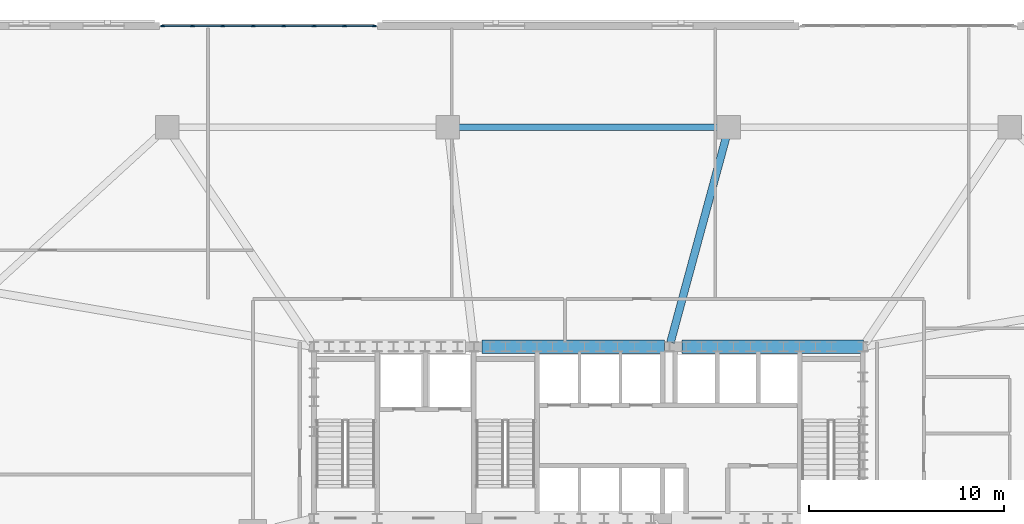
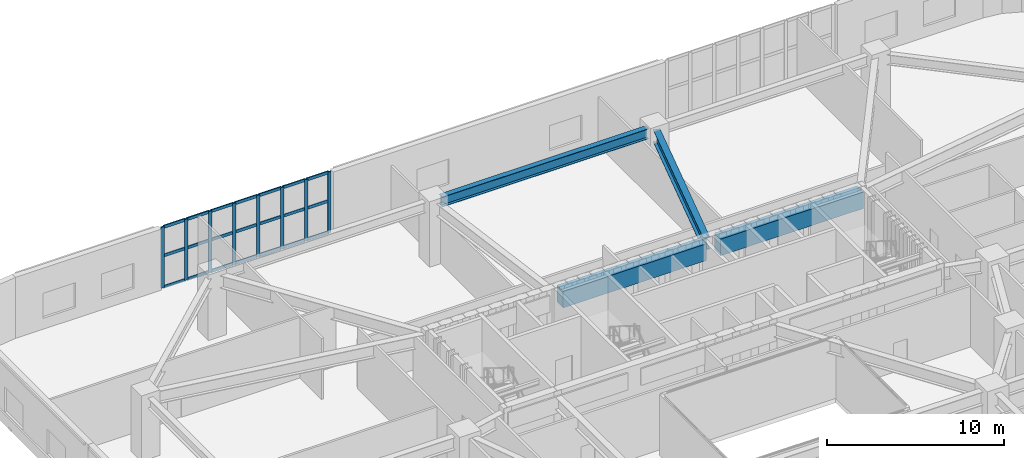
# One storey, part 9 of 25: 29 members, 4 beams, 1 element without a shape of its own.
"""IFC4 building model written with IfcOpenShell, lengths in metres."""

from ifc_helpers import new_model, si_unit, direction, frame, origin, origin_2d, place, context, subcontext, project, spatial, rectangle, i_section, extrude, material, material_profile, profile_set, type_object, element, aggregate, save


model = new_model("IFC4")

# Units and contexts
model_context = context("Model", 3, precision=1e-05, world=origin(), true_north=direction((0.0, 1.0)))
body_context = subcontext(model_context, "Body", "Model", "MODEL_VIEW")
ifc_project = project(units=[si_unit("LENGTHUNIT", "METRE"), si_unit("AREAUNIT", "SQUARE_METRE"), si_unit("VOLUMEUNIT", "CUBIC_METRE"), si_unit("PLANEANGLEUNIT", "RADIAN"), si_unit("MASSUNIT", "GRAM", prefix="KILO")], contexts=[model_context])

# Site, building, storey
site_placement = place(None, origin())
site = spatial("IfcSite", under=ifc_project, at=site_placement, CompositionType="ELEMENT")
building_placement = place(site_placement, origin())
building = spatial("IfcBuilding", under=site, at=building_placement, Name="Haldorwick Loom Tower", CompositionType="ELEMENT")
storey_placement = place(building_placement, frame((0.0, 0.0, 6.0)))
storey = spatial("IfcBuildingStorey", under=building, at=storey_placement, Name="L01", CompositionType="ELEMENT", Elevation=6.0)

# Curtain wall, members
ifc_material_1 = material(Name="Thermally Broken Anodized Aluminium Curtain Wall Framing", Category="aluminium")
curtain_wall_type = type_object("IfcCurtainWallType", Name="ARC-CW-01", PredefinedType="NOTDEFINED", material=ifc_material_1)
curtain_wall_placement = place(storey_placement, origin())
curtain_wall = element("IfcCurtainWall", 1, at=curtain_wall_placement, inside=storey, type_object=curtain_wall_type, Name="L01 Facade Curtain Wall CW-01 Bay 20", PredefinedType="NOTDEFINED")
ifc_material_profile_1 = material_profile(ifc_material_1, rectangle(XDim=0.074951171875, YDim=0.219970703125, at=origin_2d()), Name="ALU_MUL_75X220", Category="aluminium")
ifc_profile_set_1 = profile_set([ifc_material_profile_1], Name="Thermally Broken Anodized Aluminium Curtain Wall Framing")
member_type_1 = type_object("IfcMemberType", Name="ARC-CWM-01", PredefinedType="MULLION", material=ifc_profile_set_1)
member_1_placement = place(storey_placement, frame((25.0224609375, 52.0, 0.0), z_axis=(0.0, 0.0, 1.0), x_axis=(0.0, -1.0, 0.0)))
member_1 = element("IfcMember", 2, at=member_1_placement, type_object=member_type_1, Name="CW-01 mullion 1", PredefinedType="MULLION", context=body_context, shape_type="SweptSolid", body=[
    extrude(rectangle(XDim=0.074951171875, YDim=0.219970703125, at=origin_2d()), origin(), (0.0, 0.0, 1.0), 4.199951171875),
])
member_2_placement = place(storey_placement, frame((23.5, 52.0, 0.0), z_axis=(0.0, 0.0, 1.0), x_axis=(0.0, -1.0, 0.0)))
member_2 = element("IfcMember", 3, at=member_2_placement, type_object=member_type_1, Name="CW-01 mullion 2", PredefinedType="MULLION", context=body_context, shape_type="SweptSolid", body=[
    extrude(rectangle(XDim=0.074951171875, YDim=0.219970703125, at=origin_2d()), origin(), (0.0, 0.0, 1.0), 4.199951171875),
])
member_3_placement = place(storey_placement, frame((21.93994140625, 52.0, 0.0), z_axis=(0.0, 0.0, 1.0), x_axis=(0.0, -1.0, 0.0)))
member_3 = element("IfcMember", 4, at=member_3_placement, type_object=member_type_1, Name="CW-01 mullion 3", PredefinedType="MULLION", context=body_context, shape_type="SweptSolid", body=[
    extrude(rectangle(XDim=0.074951171875, YDim=0.219970703125, at=origin_2d()), origin(), (0.0, 0.0, 1.0), 4.199951171875),
])
member_4_placement = place(storey_placement, frame((20.3798828125, 52.0, 0.0), z_axis=(0.0, 0.0, 1.0), x_axis=(0.0, -1.0, 0.0)))
member_4 = element("IfcMember", 5, at=member_4_placement, type_object=member_type_1, Name="CW-01 mullion 4", PredefinedType="MULLION", context=body_context, shape_type="SweptSolid", body=[
    extrude(rectangle(XDim=0.074951171875, YDim=0.219970703125, at=origin_2d()), origin(), (0.0, 0.0, 1.0), 4.199951171875),
])
member_5_placement = place(storey_placement, frame((18.820068359375, 52.0, 0.0), z_axis=(0.0, 0.0, 1.0), x_axis=(0.0, -1.0, 0.0)))
member_5 = element("IfcMember", 6, at=member_5_placement, type_object=member_type_1, Name="CW-01 mullion 5", PredefinedType="MULLION", context=body_context, shape_type="SweptSolid", body=[
    extrude(rectangle(XDim=0.074951171875, YDim=0.219970703125, at=origin_2d()), origin(), (0.0, 0.0, 1.0), 4.199951171875),
])
member_6_placement = place(storey_placement, frame((17.260009765625, 52.0, 0.0), z_axis=(0.0, 0.0, 1.0), x_axis=(0.0, -1.0, 0.0)))
member_6 = element("IfcMember", 7, at=member_6_placement, type_object=member_type_1, Name="CW-01 mullion 6", PredefinedType="MULLION", context=body_context, shape_type="SweptSolid", body=[
    extrude(rectangle(XDim=0.074951171875, YDim=0.219970703125, at=origin_2d()), origin(), (0.0, 0.0, 1.0), 4.199951171875),
])
member_7_placement = place(storey_placement, frame((15.699951171875, 52.0, 0.0), z_axis=(0.0, 0.0, 1.0), x_axis=(0.0, -1.0, 0.0)))
member_7 = element("IfcMember", 8, at=member_7_placement, type_object=member_type_1, Name="CW-01 mullion 7", PredefinedType="MULLION", context=body_context, shape_type="SweptSolid", body=[
    extrude(rectangle(XDim=0.074951171875, YDim=0.219970703125, at=origin_2d()), origin(), (0.0, 0.0, 1.0), 4.199951171875),
])
member_8_placement = place(storey_placement, frame((14.177490234375, 52.0, 0.0), z_axis=(0.0, 0.0, 1.0), x_axis=(0.0, -1.0, 0.0)))
member_8 = element("IfcMember", 9, at=member_8_placement, type_object=member_type_1, Name="CW-01 mullion 8", PredefinedType="MULLION", context=body_context, shape_type="SweptSolid", body=[
    extrude(rectangle(XDim=0.074951171875, YDim=0.219970703125, at=origin_2d()), origin(), (0.0, 0.0, 1.0), 4.199951171875),
])
ifc_material_profile_2 = material_profile(ifc_material_1, rectangle(XDim=0.074951171875, YDim=0.199951171875, at=origin_2d()), Name="ALU_TRN_75X200", Category="aluminium")
ifc_profile_set_2 = profile_set([ifc_material_profile_2], Name="Thermally Broken Anodized Aluminium Curtain Wall Framing")
member_type_2 = type_object("IfcMemberType", Name="ARC-CWT-01", PredefinedType="USERDEFINED", material=ifc_profile_set_2)
member_9_placement = place(storey_placement, frame((24.985107421875, 52.0, 0.03759765625), z_axis=(-1.0, 0.0, 0.0), x_axis=(0.0, -1.0, 0.0)))
member_9 = element("IfcMember", 10, at=member_9_placement, type_object=member_type_2, Name="CW-01 transom 1.1", ObjectType="TRANSOM", PredefinedType="USERDEFINED", context=body_context, shape_type="SweptSolid", body=[
    extrude(rectangle(XDim=0.074951171875, YDim=0.199951171875, at=origin_2d()), origin(), (0.0, 0.0, 1.0), 1.447509765625),
])
member_10_placement = place(storey_placement, frame((24.985107421875, 52.0, 2.199951171875), z_axis=(-1.0, 0.0, 0.0), x_axis=(0.0, -1.0, 0.0)))
member_10 = element("IfcMember", 11, at=member_10_placement, type_object=member_type_2, Name="CW-01 transom 1.2", ObjectType="TRANSOM", PredefinedType="USERDEFINED", context=body_context, shape_type="SweptSolid", body=[
    extrude(rectangle(XDim=0.074951171875, YDim=0.199951171875, at=origin_2d()), origin(), (0.0, 0.0, 1.0), 1.447509765625),
])
member_11_placement = place(storey_placement, frame((24.985107421875, 52.0, 4.16259765625), z_axis=(-1.0, 0.0, 0.0), x_axis=(0.0, -1.0, 0.0)))
member_11 = element("IfcMember", 12, at=member_11_placement, type_object=member_type_2, Name="CW-01 transom 1.3", ObjectType="TRANSOM", PredefinedType="USERDEFINED", context=body_context, shape_type="SweptSolid", body=[
    extrude(rectangle(XDim=0.074951171875, YDim=0.199951171875, at=origin_2d()), origin(), (0.0, 0.0, 1.0), 1.447509765625),
])
member_12_placement = place(storey_placement, frame((23.46240234375, 52.0, 0.03759765625), z_axis=(-1.0, 0.0, 0.0), x_axis=(0.0, -1.0, 0.0)))
member_12 = element("IfcMember", 13, at=member_12_placement, type_object=member_type_2, Name="CW-01 transom 2.1", ObjectType="TRANSOM", PredefinedType="USERDEFINED", context=body_context, shape_type="SweptSolid", body=[
    extrude(rectangle(XDim=0.074951171875, YDim=0.199951171875, at=origin_2d()), origin(), (0.0, 0.0, 1.0), 1.48486328125),
])
member_13_placement = place(storey_placement, frame((23.46240234375, 52.0, 2.199951171875), z_axis=(-1.0, 0.0, 0.0), x_axis=(0.0, -1.0, 0.0)))
member_13 = element("IfcMember", 14, at=member_13_placement, type_object=member_type_2, Name="CW-01 transom 2.2", ObjectType="TRANSOM", PredefinedType="USERDEFINED", context=body_context, shape_type="SweptSolid", body=[
    extrude(rectangle(XDim=0.074951171875, YDim=0.199951171875, at=origin_2d()), origin(), (0.0, 0.0, 1.0), 1.48486328125),
])
member_14_placement = place(storey_placement, frame((23.46240234375, 52.0, 4.16259765625), z_axis=(-1.0, 0.0, 0.0), x_axis=(0.0, -1.0, 0.0)))
member_14 = element("IfcMember", 15, at=member_14_placement, type_object=member_type_2, Name="CW-01 transom 2.3", ObjectType="TRANSOM", PredefinedType="USERDEFINED", context=body_context, shape_type="SweptSolid", body=[
    extrude(rectangle(XDim=0.074951171875, YDim=0.199951171875, at=origin_2d()), origin(), (0.0, 0.0, 1.0), 1.48486328125),
])
member_15_placement = place(storey_placement, frame((21.902587890625, 52.0, 0.03759765625), z_axis=(-1.0, 0.0, 0.0), x_axis=(0.0, -1.0, 0.0)))
member_15 = element("IfcMember", 16, at=member_15_placement, type_object=member_type_2, Name="CW-01 transom 3.1", ObjectType="TRANSOM", PredefinedType="USERDEFINED", context=body_context, shape_type="SweptSolid", body=[
    extrude(rectangle(XDim=0.074951171875, YDim=0.199951171875, at=origin_2d()), origin(), (0.0, 0.0, 1.0), 1.485107421875),
])
member_16_placement = place(storey_placement, frame((21.902587890625, 52.0, 2.199951171875), z_axis=(-1.0, 0.0, 0.0), x_axis=(0.0, -1.0, 0.0)))
member_16 = element("IfcMember", 17, at=member_16_placement, type_object=member_type_2, Name="CW-01 transom 3.2", ObjectType="TRANSOM", PredefinedType="USERDEFINED", context=body_context, shape_type="SweptSolid", body=[
    extrude(rectangle(XDim=0.074951171875, YDim=0.199951171875, at=origin_2d()), origin(), (0.0, 0.0, 1.0), 1.485107421875),
])
member_17_placement = place(storey_placement, frame((21.902587890625, 52.0, 4.16259765625), z_axis=(-1.0, 0.0, 0.0), x_axis=(0.0, -1.0, 0.0)))
member_17 = element("IfcMember", 18, at=member_17_placement, type_object=member_type_2, Name="CW-01 transom 3.3", ObjectType="TRANSOM", PredefinedType="USERDEFINED", context=body_context, shape_type="SweptSolid", body=[
    extrude(rectangle(XDim=0.074951171875, YDim=0.199951171875, at=origin_2d()), origin(), (0.0, 0.0, 1.0), 1.485107421875),
])
member_18_placement = place(storey_placement, frame((20.342529296875, 52.0, 0.03759765625), z_axis=(-1.0, 0.0, 0.0), x_axis=(0.0, -1.0, 0.0)))
member_18 = element("IfcMember", 19, at=member_18_placement, type_object=member_type_2, Name="CW-01 transom 4.1", ObjectType="TRANSOM", PredefinedType="USERDEFINED", context=body_context, shape_type="SweptSolid", body=[
    extrude(rectangle(XDim=0.074951171875, YDim=0.199951171875, at=origin_2d()), origin(), (0.0, 0.0, 1.0), 1.485107421875),
])
member_19_placement = place(storey_placement, frame((20.342529296875, 52.0, 2.199951171875), z_axis=(-1.0, 0.0, 0.0), x_axis=(0.0, -1.0, 0.0)))
member_19 = element("IfcMember", 20, at=member_19_placement, type_object=member_type_2, Name="CW-01 transom 4.2", ObjectType="TRANSOM", PredefinedType="USERDEFINED", context=body_context, shape_type="SweptSolid", body=[
    extrude(rectangle(XDim=0.074951171875, YDim=0.199951171875, at=origin_2d()), origin(), (0.0, 0.0, 1.0), 1.485107421875),
])
member_20_placement = place(storey_placement, frame((20.342529296875, 52.0, 4.16259765625), z_axis=(-1.0, 0.0, 0.0), x_axis=(0.0, -1.0, 0.0)))
member_20 = element("IfcMember", 21, at=member_20_placement, type_object=member_type_2, Name="CW-01 transom 4.3", ObjectType="TRANSOM", PredefinedType="USERDEFINED", context=body_context, shape_type="SweptSolid", body=[
    extrude(rectangle(XDim=0.074951171875, YDim=0.199951171875, at=origin_2d()), origin(), (0.0, 0.0, 1.0), 1.485107421875),
])
member_21_placement = place(storey_placement, frame((18.782470703125, 52.0, 0.03759765625), z_axis=(-1.0, 0.0, 0.0), x_axis=(0.0, -1.0, 0.0)))
member_21 = element("IfcMember", 22, at=member_21_placement, type_object=member_type_2, Name="CW-01 transom 5.1", ObjectType="TRANSOM", PredefinedType="USERDEFINED", context=body_context, shape_type="SweptSolid", body=[
    extrude(rectangle(XDim=0.074951171875, YDim=0.199951171875, at=origin_2d()), origin(), (0.0, 0.0, 1.0), 1.48486328125),
])
member_22_placement = place(storey_placement, frame((18.782470703125, 52.0, 2.199951171875), z_axis=(-1.0, 0.0, 0.0), x_axis=(0.0, -1.0, 0.0)))
member_22 = element("IfcMember", 23, at=member_22_placement, type_object=member_type_2, Name="CW-01 transom 5.2", ObjectType="TRANSOM", PredefinedType="USERDEFINED", context=body_context, shape_type="SweptSolid", body=[
    extrude(rectangle(XDim=0.074951171875, YDim=0.199951171875, at=origin_2d()), origin(), (0.0, 0.0, 1.0), 1.48486328125),
])
member_23_placement = place(storey_placement, frame((18.782470703125, 52.0, 4.16259765625), z_axis=(-1.0, 0.0, 0.0), x_axis=(0.0, -1.0, 0.0)))
member_23 = element("IfcMember", 24, at=member_23_placement, type_object=member_type_2, Name="CW-01 transom 5.3", ObjectType="TRANSOM", PredefinedType="USERDEFINED", context=body_context, shape_type="SweptSolid", body=[
    extrude(rectangle(XDim=0.074951171875, YDim=0.199951171875, at=origin_2d()), origin(), (0.0, 0.0, 1.0), 1.48486328125),
])
member_24_placement = place(storey_placement, frame((17.222412109375, 52.0, 0.03759765625), z_axis=(-1.0, 0.0, 0.0), x_axis=(0.0, -1.0, 0.0)))
member_24 = element("IfcMember", 25, at=member_24_placement, type_object=member_type_2, Name="CW-01 transom 6.1", ObjectType="TRANSOM", PredefinedType="USERDEFINED", context=body_context, shape_type="SweptSolid", body=[
    extrude(rectangle(XDim=0.074951171875, YDim=0.199951171875, at=origin_2d()), origin(), (0.0, 0.0, 1.0), 1.48486328125),
])
member_25_placement = place(storey_placement, frame((17.222412109375, 52.0, 2.199951171875), z_axis=(-1.0, 0.0, 0.0), x_axis=(0.0, -1.0, 0.0)))
member_25 = element("IfcMember", 26, at=member_25_placement, type_object=member_type_2, Name="CW-01 transom 6.2", ObjectType="TRANSOM", PredefinedType="USERDEFINED", context=body_context, shape_type="SweptSolid", body=[
    extrude(rectangle(XDim=0.074951171875, YDim=0.199951171875, at=origin_2d()), origin(), (0.0, 0.0, 1.0), 1.48486328125),
])
member_26_placement = place(storey_placement, frame((17.222412109375, 52.0, 4.16259765625), z_axis=(-1.0, 0.0, 0.0), x_axis=(0.0, -1.0, 0.0)))
member_26 = element("IfcMember", 27, at=member_26_placement, type_object=member_type_2, Name="CW-01 transom 6.3", ObjectType="TRANSOM", PredefinedType="USERDEFINED", context=body_context, shape_type="SweptSolid", body=[
    extrude(rectangle(XDim=0.074951171875, YDim=0.199951171875, at=origin_2d()), origin(), (0.0, 0.0, 1.0), 1.48486328125),
])
member_27_placement = place(storey_placement, frame((15.66259765625, 52.0, 0.03759765625), z_axis=(-1.0, 0.0, 0.0), x_axis=(0.0, -1.0, 0.0)))
member_27 = element("IfcMember", 28, at=member_27_placement, type_object=member_type_2, Name="CW-01 transom 7.1", ObjectType="TRANSOM", PredefinedType="USERDEFINED", context=body_context, shape_type="SweptSolid", body=[
    extrude(rectangle(XDim=0.074951171875, YDim=0.199951171875, at=origin_2d()), origin(), (0.0, 0.0, 1.0), 1.447509765625),
])
member_28_placement = place(storey_placement, frame((15.66259765625, 52.0, 2.199951171875), z_axis=(-1.0, 0.0, 0.0), x_axis=(0.0, -1.0, 0.0)))
member_28 = element("IfcMember", 29, at=member_28_placement, type_object=member_type_2, Name="CW-01 transom 7.2", ObjectType="TRANSOM", PredefinedType="USERDEFINED", context=body_context, shape_type="SweptSolid", body=[
    extrude(rectangle(XDim=0.074951171875, YDim=0.199951171875, at=origin_2d()), origin(), (0.0, 0.0, 1.0), 1.447509765625),
])
member_29_placement = place(storey_placement, frame((15.66259765625, 52.0, 4.16259765625), z_axis=(-1.0, 0.0, 0.0), x_axis=(0.0, -1.0, 0.0)))
member_29 = element("IfcMember", 30, at=member_29_placement, type_object=member_type_2, Name="CW-01 transom 7.3", ObjectType="TRANSOM", PredefinedType="USERDEFINED", context=body_context, shape_type="SweptSolid", body=[
    extrude(rectangle(XDim=0.074951171875, YDim=0.199951171875, at=origin_2d()), origin(), (0.0, 0.0, 1.0), 1.447509765625),
])
aggregate(curtain_wall, [member_1, member_2, member_3, member_4, member_5, member_6, member_7, member_8, member_9, member_10, member_11, member_12, member_13, member_14, member_15, member_16, member_17, member_18, member_19, member_20, member_21, member_22, member_23, member_24, member_25, member_26, member_27, member_28, member_29])

# Beams
ifc_material_2 = material(Name="Concrete C60 (60 MPa)", Category="concrete")
ifc_material_profile_3 = material_profile(ifc_material_2, rectangle(XDim=0.699951171875, YDim=1.14990234375, at=origin_2d()), Name="RC700X1150", Category="concrete")
ifc_profile_set_3 = profile_set([ifc_material_profile_3], Name="Concrete C60 (60 MPa)")
beam_type_1 = type_object("IfcBeamType", Name="STR-BM-CB1150", PredefinedType="LINTEL", material=ifc_profile_set_3)
beam_1_placement = place(storey_placement, frame((30.550048828125, 35.550048828125, 3.625), z_axis=(1.0, 0.0, 0.0), x_axis=(0.0, 1.0, 0.0)))
element("IfcBeam", 31, at=beam_1_placement, inside=storey, type_object=beam_type_1, Name="L01 Core Coupling Beam CB-N2", PredefinedType="LINTEL", context=body_context, shape_type="SweptSolid", body=[
    extrude(rectangle(XDim=0.699951171875, YDim=1.14990234375, at=origin_2d()), origin(), (0.0, 0.0, 1.0), 9.349853515625),
])
beam_2_placement = place(storey_placement, frame((40.800048828125, 35.550048828125, 3.625), z_axis=(1.0, 0.0, 0.0), x_axis=(0.0, 1.0, 0.0)))
element("IfcBeam", 32, at=beam_2_placement, inside=storey, type_object=beam_type_1, Name="L01 Core Coupling Beam CB-N3", PredefinedType="LINTEL", context=body_context, shape_type="SweptSolid", body=[
    extrude(rectangle(XDim=0.699951171875, YDim=1.14990234375, at=origin_2d()), origin(), (0.0, 0.0, 1.0), 9.300048828125),
])
ifc_material_3 = material(Name="Steel CSA G40.21 350W", Category="steel")
ifc_material_profile_4 = material_profile(ifc_material_3, i_section(OverallWidth=0.35498046875, OverallDepth=0.695068359375, WebThickness=0.015380859375, FlangeThickness=0.02490234375, at=origin_2d()), Name="W690X217", Category="steel")
ifc_profile_set_4 = profile_set([ifc_material_profile_4], Name="Steel CSA G40.21 350W")
beam_type_2 = type_object("IfcBeamType", Name="STR-BM-SP690", PredefinedType="SPANDREL", material=ifc_profile_set_4)
beam_3_placement = place(storey_placement, frame((42.719970703125, 46.800048828125, 3.8525390625), z_axis=(-1.0, 0.0, 0.0), x_axis=(0.0, -1.0, 0.0)))
element("IfcBeam", 33, at=beam_3_placement, inside=storey, type_object=beam_type_2, Name="L01 Podium Spandrel PSP-N2", PredefinedType="SPANDREL", context=body_context, shape_type="SweptSolid", body=[
    extrude(i_section(OverallWidth=0.35498046875, OverallDepth=0.695068359375, WebThickness=0.015380859375, FlangeThickness=0.02490234375, at=origin_2d()), origin(), (0.0, 0.0, 1.0), 13.43994140625),
])
ifc_material_profile_5 = material_profile(ifc_material_3, i_section(OverallWidth=0.39990234375, OverallDepth=0.85498046875, WebThickness=0.018310546875, FlangeThickness=0.029296875, at=origin_2d()), Name="W840X299", Category="steel")
ifc_profile_set_5 = profile_set([ifc_material_profile_5], Name="Steel CSA G40.21 350W")
beam_type_3 = type_object("IfcBeamType", Name="STR-BM-W840", PredefinedType="BEAM", material=ifc_profile_set_5)
beam_4_placement = place(storey_placement, frame((43.082275390625, 46.36572265625, 3.7724609375), z_axis=(-0.261655396266, -0.965161361434, 0.0), x_axis=(0.965161361434, -0.261655396266, 0.0)))
element("IfcBeam", 34, at=beam_4_placement, inside=storey, type_object=beam_type_3, Name="L01 Podium Primary Girder PG-14", PredefinedType="BEAM", context=body_context, shape_type="SweptSolid", body=[
    extrude(i_section(OverallWidth=0.39990234375, OverallDepth=0.85498046875, WebThickness=0.018310546875, FlangeThickness=0.029296875, at=origin_2d()), origin(), (0.0, 0.0, 1.0), 10.981201171875),
])

save(model, "model.ifc")
